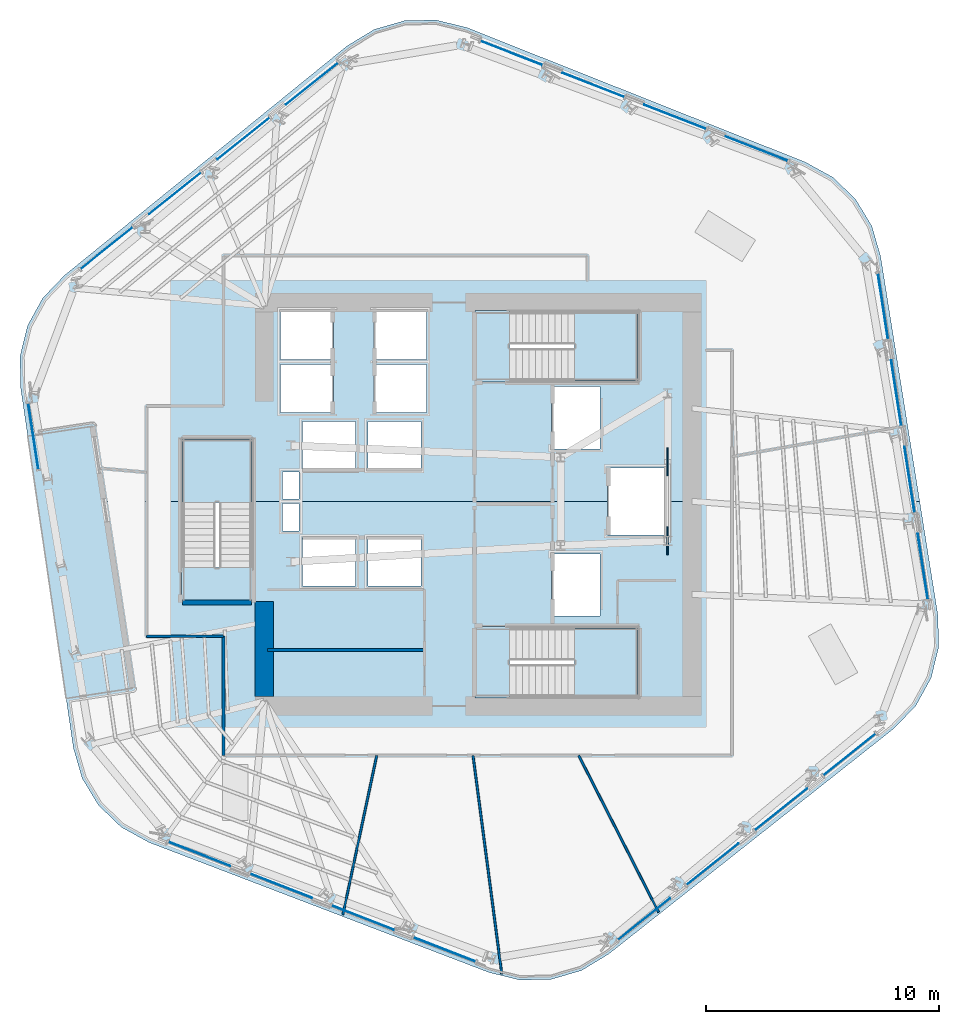
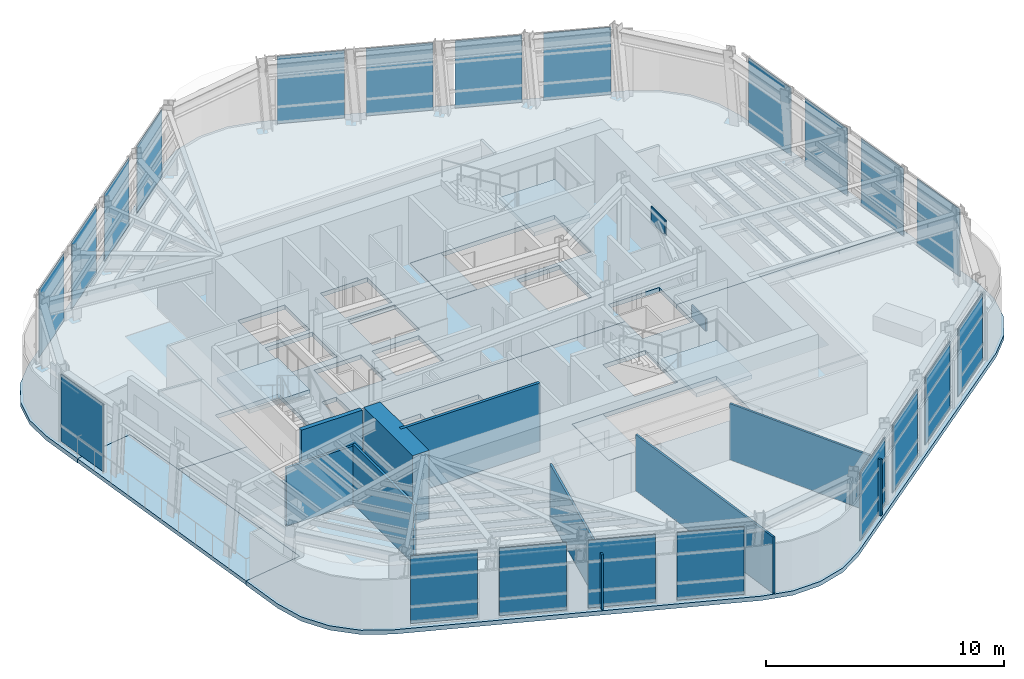
# One storey, part 7 of 15: 23 plates, 9 slabs, 8 walls, 9 elements without a shape of their own.
"""IFC4 building model written with IfcOpenShell, lengths in metres."""

from ifc_helpers import new_model, si_unit, direction, frame, frame_2d, origin, origin_2d, place, context, subcontext, project, spatial, polyline, rectangle, outline, extrude, material, layer, layer_set, type_object, element, aggregate, save


model = new_model("IFC4")

# Units and contexts
model_context = context("Model", 3, precision=1e-05, world=origin(), true_north=direction((0.0, 1.0)))
body_context = subcontext(model_context, "Body", "Model", "MODEL_VIEW")
ifc_project = project(units=[si_unit("LENGTHUNIT", "METRE"), si_unit("AREAUNIT", "SQUARE_METRE"), si_unit("VOLUMEUNIT", "CUBIC_METRE"), si_unit("PLANEANGLEUNIT", "RADIAN"), si_unit("MASSUNIT", "GRAM", prefix="KILO")], contexts=[model_context])

# Site, building, storey
site_placement = place(None, origin())
site = spatial("IfcSite", under=ifc_project, at=site_placement, CompositionType="ELEMENT")
building_placement = place(site_placement, origin())
building = spatial("IfcBuilding", under=site, at=building_placement, Name="Valkerne Bourse Tower", CompositionType="ELEMENT")
storey_placement = place(building_placement, frame((0.0, 0.0, 189.39990234375)))
storey = spatial("IfcBuildingStorey", under=building, at=storey_placement, Name="L48", CompositionType="ELEMENT", Elevation=189.39990234375)

# Curtain wall, plates
ifc_material_1 = material(Name="Aluminium AA 6063-T6", Category="aluminium")
ifc_layer_1 = layer(ifc_material_1, 0.235107421875)
ifc_layer_set_1 = layer_set([ifc_layer_1], Name="Aluminium AA 6063-T6")
curtain_wall_type = type_object("IfcCurtainWallType", Name="CW-03", PredefinedType="NOTDEFINED", material=ifc_layer_set_1)
curtain_wall_1_placement = place(storey_placement, origin())
curtain_wall_1 = element("IfcCurtainWall", 1, at=curtain_wall_1_placement, inside=storey, type_object=curtain_wall_type, Name="L48 Hexagonal Stick Curtain Wall Face 1", PredefinedType="NOTDEFINED")
ifc_material_2 = material(Name="Glass IGU Low-E Double Glazed", Category="glass")
ifc_layer_2 = layer(ifc_material_2, 0.031982421875)
ifc_layer_set_2 = layer_set([ifc_layer_2], Name="Glass IGU Low-E Double Glazed")
plate_type_1 = type_object("IfcPlateType", Name="CW-PNL-IGU-32", PredefinedType="CURTAIN_PANEL", material=ifc_layer_set_2)
plate_1_placement = place(storey_placement, frame((58.7841796875, 42.166015625, 0.030029296875), z_axis=(0.0, 0.0, 1.0), x_axis=(-0.931683816039, 0.363270239534, 0.0)))
plate_1 = element("IfcPlate", 2, at=plate_1_placement, type_object=plate_type_1, Name="CW-L48-F1 Curtain Panel 00", PredefinedType="CURTAIN_PANEL", context=body_context, shape_type="SweptSolid", body=[
    extrude(rectangle(XDim=2.85107421875, YDim=0.031982421875, at=origin_2d()), origin(), (0.0, 0.0, 1.0), 3.4599609375),
])
plate_2_placement = place(storey_placement, frame((55.270751953125, 43.535888671875, 0.030029296875), z_axis=(0.0, 0.0, 1.0), x_axis=(-0.93169279094, 0.36324722065, 0.0)))
plate_2 = element("IfcPlate", 3, at=plate_2_placement, type_object=plate_type_1, Name="CW-L48-F1 Curtain Panel 01", PredefinedType="CURTAIN_PANEL", context=body_context, shape_type="SweptSolid", body=[
    extrude(rectangle(XDim=2.85107421875, YDim=0.031982421875, at=origin_2d()), origin(), (0.0, 0.0, 1.0), 3.4599609375),
])
plate_3_placement = place(storey_placement, frame((51.75732421875, 44.905517578125, 0.030029296875), z_axis=(0.0, 0.0, 1.0), x_axis=(-0.931696289859, 0.363238246145, 0.0)))
plate_3 = element("IfcPlate", 4, at=plate_3_placement, type_object=plate_type_1, Name="CW-L48-F1 Curtain Panel 02", PredefinedType="CURTAIN_PANEL", context=body_context, shape_type="SweptSolid", body=[
    extrude(rectangle(XDim=2.85107421875, YDim=0.031982421875, at=origin_2d()), origin(), (0.0, 0.0, 1.0), 3.4599609375),
])
plate_4_placement = place(storey_placement, frame((48.243896484375, 46.275390625, 0.030029296875), z_axis=(0.0, 0.0, 1.0), x_axis=(-0.93169279094, 0.36324722065, 0.0)))
plate_4 = element("IfcPlate", 5, at=plate_4_placement, type_object=plate_type_1, Name="CW-L48-F1 Curtain Panel 03", PredefinedType="CURTAIN_PANEL", context=body_context, shape_type="SweptSolid", body=[
    extrude(rectangle(XDim=2.85107421875, YDim=0.031982421875, at=origin_2d()), origin(), (0.0, 0.0, 1.0), 3.4599609375),
])
aggregate(curtain_wall_1, [plate_1, plate_2, plate_3, plate_4])

curtain_wall_2_placement = place(storey_placement, origin())
curtain_wall_2 = element("IfcCurtainWall", 6, at=curtain_wall_2_placement, inside=storey, type_object=curtain_wall_type, Name="L48 Hexagonal Stick Curtain Wall Face 2", PredefinedType="NOTDEFINED")
plate_5_placement = place(storey_placement, frame((39.657958984375, 44.96142578125, 0.030029296875), z_axis=(0.0, 0.0, 1.0), x_axis=(-0.780428802886, -0.625244659014, 0.0)))
plate_5 = element("IfcPlate", 7, at=plate_5_placement, type_object=plate_type_1, Name="CW-L48-F2 Curtain Panel 00", PredefinedType="CURTAIN_PANEL", context=body_context, shape_type="SweptSolid", body=[
    extrude(rectangle(XDim=2.85107421875, YDim=0.031982421875, at=origin_2d()), origin(), (0.0, 0.0, 1.0), 3.4599609375),
])
plate_6_placement = place(storey_placement, frame((36.715087890625, 42.603759765625, 0.030029296875), z_axis=(0.0, 0.0, 1.0), x_axis=(-0.780428802886, -0.625244659014, 0.0)))
plate_6 = element("IfcPlate", 8, at=plate_6_placement, type_object=plate_type_1, Name="CW-L48-F2 Curtain Panel 01", PredefinedType="CURTAIN_PANEL", context=body_context, shape_type="SweptSolid", body=[
    extrude(rectangle(XDim=2.85107421875, YDim=0.031982421875, at=origin_2d()), origin(), (0.0, 0.0, 1.0), 3.4599609375),
])
plate_7_placement = place(storey_placement, frame((33.77197265625, 40.245849609375, 0.030029296875), z_axis=(0.0, 0.0, 1.0), x_axis=(-0.780428802886, -0.625244659014, 0.0)))
plate_7 = element("IfcPlate", 9, at=plate_7_placement, type_object=plate_type_1, Name="CW-L48-F2 Curtain Panel 02", PredefinedType="CURTAIN_PANEL", context=body_context, shape_type="SweptSolid", body=[
    extrude(rectangle(XDim=2.85107421875, YDim=0.031982421875, at=origin_2d()), origin(), (0.0, 0.0, 1.0), 3.4599609375),
])
plate_8_placement = place(storey_placement, frame((30.8291015625, 37.88818359375, 0.030029296875), z_axis=(0.0, 0.0, 1.0), x_axis=(-0.780428802886, -0.625244659014, 0.0)))
plate_8 = element("IfcPlate", 10, at=plate_8_placement, type_object=plate_type_1, Name="CW-L48-F2 Curtain Panel 03", PredefinedType="CURTAIN_PANEL", context=body_context, shape_type="SweptSolid", body=[
    extrude(rectangle(XDim=2.85107421875, YDim=0.031982421875, at=origin_2d()), origin(), (0.0, 0.0, 1.0), 3.4599609375),
])
aggregate(curtain_wall_2, [plate_5, plate_6, plate_7, plate_8])

# Curtain wall, plate
curtain_wall_3_placement = place(storey_placement, origin())
curtain_wall_3 = element("IfcCurtainWall", 11, at=curtain_wall_3_placement, inside=storey, type_object=curtain_wall_type, Name="L48 Hexagonal Stick Curtain Wall Face 3", PredefinedType="NOTDEFINED")
plate_9_placement = place(storey_placement, frame((27.673828125, 29.795654296875, 0.030029296875), z_axis=(0.0, 0.0, 1.0), x_axis=(0.151260054686, -0.988494003956, 0.0)))
plate_9 = element("IfcPlate", 12, at=plate_9_placement, type_object=plate_type_1, Name="CW-L48-F3 Curtain Panel 00", PredefinedType="CURTAIN_PANEL", context=body_context, shape_type="SweptSolid", body=[
    extrude(rectangle(XDim=2.85107421875, YDim=0.031982421875, at=origin_2d()), origin(), (0.0, 0.0, 1.0), 3.4599609375),
])
aggregate(curtain_wall_3, [plate_9])

# Curtain wall, plates
curtain_wall_4_placement = place(storey_placement, origin())
curtain_wall_4 = element("IfcCurtainWall", 13, at=curtain_wall_4_placement, inside=storey, type_object=curtain_wall_type, Name="L48 Hexagonal Stick Curtain Wall Face 4", PredefinedType="NOTDEFINED")
plate_10_placement = place(storey_placement, frame((34.81591796875, 11.833984375, 0.030029296875), z_axis=(0.0, 0.0, 1.0), x_axis=(0.931683816039, -0.363270239534, 0.0)))
plate_10 = element("IfcPlate", 14, at=plate_10_placement, type_object=plate_type_1, Name="CW-L48-F4 Curtain Panel 00", PredefinedType="CURTAIN_PANEL", context=body_context, shape_type="SweptSolid", body=[
    extrude(rectangle(XDim=2.85107421875, YDim=0.031982421875, at=origin_2d()), origin(), (0.0, 0.0, 1.0), 3.4599609375),
])
plate_11_placement = place(storey_placement, frame((38.3291015625, 10.464111328125, 0.030029296875), z_axis=(0.0, 0.0, 1.0), x_axis=(0.93169279094, -0.36324722065, 0.0)))
plate_11 = element("IfcPlate", 15, at=plate_11_placement, type_object=plate_type_1, Name="CW-L48-F4 Curtain Panel 01", PredefinedType="CURTAIN_PANEL", context=body_context, shape_type="SweptSolid", body=[
    extrude(rectangle(XDim=2.85107421875, YDim=0.031982421875, at=origin_2d()), origin(), (0.0, 0.0, 1.0), 3.4599609375),
])
plate_12_placement = place(storey_placement, frame((41.8427734375, 9.094482421875, 0.030029296875), z_axis=(0.0, 0.0, 1.0), x_axis=(0.931696289859, -0.363238246145, 0.0)))
plate_12 = element("IfcPlate", 16, at=plate_12_placement, type_object=plate_type_1, Name="CW-L48-F4 Curtain Panel 02", PredefinedType="CURTAIN_PANEL", context=body_context, shape_type="SweptSolid", body=[
    extrude(rectangle(XDim=2.85107421875, YDim=0.031982421875, at=origin_2d()), origin(), (0.0, 0.0, 1.0), 3.4599609375),
])
plate_13_placement = place(storey_placement, frame((45.356201171875, 7.724609375, 0.030029296875), z_axis=(0.0, 0.0, 1.0), x_axis=(0.93169279094, -0.36324722065, 0.0)))
plate_13 = element("IfcPlate", 17, at=plate_13_placement, type_object=plate_type_1, Name="CW-L48-F4 Curtain Panel 03", PredefinedType="CURTAIN_PANEL", context=body_context, shape_type="SweptSolid", body=[
    extrude(rectangle(XDim=2.85107421875, YDim=0.031982421875, at=origin_2d()), origin(), (0.0, 0.0, 1.0), 3.4599609375),
])
aggregate(curtain_wall_4, [plate_10, plate_11, plate_12, plate_13])

curtain_wall_5_placement = place(storey_placement, origin())
curtain_wall_5 = element("IfcCurtainWall", 18, at=curtain_wall_5_placement, inside=storey, type_object=curtain_wall_type, Name="L48 Hexagonal Stick Curtain Wall Face 5", PredefinedType="NOTDEFINED")
plate_14_placement = place(storey_placement, frame((53.94189453125, 9.03857421875, 0.030029296875), z_axis=(0.0, 0.0, 1.0), x_axis=(0.780428802886, 0.625244659014, 0.0)))
plate_14 = element("IfcPlate", 19, at=plate_14_placement, type_object=plate_type_1, Name="CW-L48-F5 Curtain Panel 00", PredefinedType="CURTAIN_PANEL", context=body_context, shape_type="SweptSolid", body=[
    extrude(rectangle(XDim=2.85107421875, YDim=0.031982421875, at=origin_2d()), origin(), (0.0, 0.0, 1.0), 3.4599609375),
])
plate_15_placement = place(storey_placement, frame((56.885009765625, 11.396240234375, 0.030029296875), z_axis=(0.0, 0.0, 1.0), x_axis=(0.780428802886, 0.625244659014, 0.0)))
plate_15 = element("IfcPlate", 20, at=plate_15_placement, type_object=plate_type_1, Name="CW-L48-F5 Curtain Panel 01", PredefinedType="CURTAIN_PANEL", context=body_context, shape_type="SweptSolid", body=[
    extrude(rectangle(XDim=2.85107421875, YDim=0.031982421875, at=origin_2d()), origin(), (0.0, 0.0, 1.0), 3.4599609375),
])
plate_16_placement = place(storey_placement, frame((59.827880859375, 13.754150390625, 0.030029296875), z_axis=(0.0, 0.0, 1.0), x_axis=(0.780428802886, 0.625244659014, 0.0)))
plate_16 = element("IfcPlate", 21, at=plate_16_placement, type_object=plate_type_1, Name="CW-L48-F5 Curtain Panel 02", PredefinedType="CURTAIN_PANEL", context=body_context, shape_type="SweptSolid", body=[
    extrude(rectangle(XDim=2.85107421875, YDim=0.031982421875, at=origin_2d()), origin(), (0.0, 0.0, 1.0), 3.4599609375),
])
plate_17_placement = place(storey_placement, frame((62.77099609375, 16.11181640625, 0.030029296875), z_axis=(0.0, 0.0, 1.0), x_axis=(0.780428802886, 0.625244659014, 0.0)))
plate_17 = element("IfcPlate", 22, at=plate_17_placement, type_object=plate_type_1, Name="CW-L48-F5 Curtain Panel 03", PredefinedType="CURTAIN_PANEL", context=body_context, shape_type="SweptSolid", body=[
    extrude(rectangle(XDim=2.85107421875, YDim=0.031982421875, at=origin_2d()), origin(), (0.0, 0.0, 1.0), 3.4599609375),
])
aggregate(curtain_wall_5, [plate_14, plate_15, plate_16, plate_17])

curtain_wall_6_placement = place(storey_placement, origin())
curtain_wall_6 = element("IfcCurtainWall", 23, at=curtain_wall_6_placement, inside=storey, type_object=curtain_wall_type, Name="L48 Hexagonal Stick Curtain Wall Face 6", PredefinedType="NOTDEFINED")
plate_18_placement = place(storey_placement, frame((65.92626953125, 24.204345703125, 0.030029296875), z_axis=(0.0, 0.0, 1.0), x_axis=(-0.151260054686, 0.988494003956, 0.0)))
plate_18 = element("IfcPlate", 24, at=plate_18_placement, type_object=plate_type_1, Name="CW-L48-F6 Curtain Panel 00", PredefinedType="CURTAIN_PANEL", context=body_context, shape_type="SweptSolid", body=[
    extrude(rectangle(XDim=2.85107421875, YDim=0.031982421875, at=origin_2d()), origin(), (0.0, 0.0, 1.0), 3.4599609375),
])
plate_19_placement = place(storey_placement, frame((65.355712890625, 27.931884765625, 0.030029296875), z_axis=(0.0, 0.0, 1.0), x_axis=(-0.15125608979, 0.988494610659, 0.0)))
plate_19 = element("IfcPlate", 25, at=plate_19_placement, type_object=plate_type_1, Name="CW-L48-F6 Curtain Panel 01", PredefinedType="CURTAIN_PANEL", context=body_context, shape_type="SweptSolid", body=[
    extrude(rectangle(XDim=2.85107421875, YDim=0.031982421875, at=origin_2d()), origin(), (0.0, 0.0, 1.0), 3.4599609375),
])
plate_20_placement = place(storey_placement, frame((64.785400390625, 31.65966796875, 0.030029296875), z_axis=(0.0, 0.0, 1.0), x_axis=(-0.151260054686, 0.988494003956, 0.0)))
plate_20 = element("IfcPlate", 26, at=plate_20_placement, type_object=plate_type_1, Name="CW-L48-F6 Curtain Panel 02", PredefinedType="CURTAIN_PANEL", context=body_context, shape_type="SweptSolid", body=[
    extrude(rectangle(XDim=2.85107421875, YDim=0.031982421875, at=origin_2d()), origin(), (0.0, 0.0, 1.0), 3.4599609375),
])
plate_21_placement = place(storey_placement, frame((64.215087890625, 35.38720703125, 0.030029296875), z_axis=(0.0, 0.0, 1.0), x_axis=(-0.151260054686, 0.988494003956, 0.0)))
plate_21 = element("IfcPlate", 27, at=plate_21_placement, type_object=plate_type_1, Name="CW-L48-F6 Curtain Panel 03", PredefinedType="CURTAIN_PANEL", context=body_context, shape_type="SweptSolid", body=[
    extrude(rectangle(XDim=2.85107421875, YDim=0.031982421875, at=origin_2d()), origin(), (0.0, 0.0, 1.0), 3.4599609375),
])
aggregate(curtain_wall_6, [plate_18, plate_19, plate_20, plate_21])

# Plates
ifc_material_3 = material(Name="Steel ASTM A572 Grade 50", Category="steel")
ifc_layer_3 = layer(ifc_material_3, 0.06005859375)
ifc_layer_set_3 = layer_set([ifc_layer_3], Name="Steel ASTM A572 Grade 50")
plate_type_2 = type_object("IfcPlateType", Name="PLT-GUS-60", PredefinedType="SHEET", material=ifc_layer_set_3)
for number, where, z_axis, x_axis, name in (
    (28, (54.949951171875, 25.300048828125, -0.1796875), (0.0, 0.0, 1.0), (0.0, 1.0, 0.0), "L48 Brace Node Gusset Plate PLT-GUS-END-L48-412"),
    (29, (54.949951171875, 28.699951171875, 2.81396484375), (0.0, 0.0, 1.0), (0.0, 1.0, 0.0), "L48 Brace Node Gusset Plate PLT-GUS-END-L48-413"),
):
    element("IfcPlate", number, at=place(storey_placement, frame(where, z_axis=z_axis, x_axis=x_axis)), inside=storey, type_object=plate_type_2, Name=name, PredefinedType="SHEET", context=body_context, shape_type="SweptSolid", body=[
        extrude(rectangle(XDim=1.199951171875, YDim=0.06005859375, at=origin_2d()), origin(), (0.0, 0.0, 1.0), 0.800048828125),
    ])

# Slabs
ifc_material_4 = material(Name="Concrete C40/50", Category="concrete")
ifc_layer_4 = layer(ifc_material_4, 0.25)
ifc_layer_set_4 = layer_set([ifc_layer_4], Name="Concrete C40/50")
slab_type_1 = type_object("IfcSlabType", Name="SLB-RMP-LND-250", PredefinedType="LANDING", material=ifc_layer_set_4)
slab_1_placement = place(storey_placement, frame((0.0, 0.0, -0.219970703125)))
element("IfcSlab", 30, at=slab_1_placement, inside=storey, type_object=slab_type_1, Name="L48 ST-1 Floor Landing Slab", PredefinedType="LANDING", context=body_context, shape_type="SweptSolid", body=[
    extrude(outline(polyline([(46.669921875, 18.5400390625), (48.14990234375, 18.5400390625), (48.14990234375, 21.610107421875), (46.669921875, 21.610107421875), (46.669921875, 18.5400390625)])), origin(), (0.0, 0.0, 1.0), 0.219970703125),
])
slab_2_placement = place(storey_placement, frame((0.0, 0.0, -0.219970703125)))
element("IfcSlab", 31, at=slab_2_placement, inside=storey, type_object=slab_type_1, Name="L48 ST-2 Floor Landing Slab", PredefinedType="LANDING", context=body_context, shape_type="SweptSolid", body=[
    extrude(outline(polyline([(46.669921875, 32.139892578125), (48.14990234375, 32.139892578125), (48.14990234375, 35.2099609375), (46.669921875, 35.2099609375), (46.669921875, 32.139892578125)])), origin(), (0.0, 0.0, 1.0), 0.219970703125),
])
slab_3_placement = place(storey_placement, frame((0.0, 0.0, -0.219970703125)))
element("IfcSlab", 32, at=slab_3_placement, inside=storey, type_object=slab_type_1, Name="L48 ST-3 Floor Landing Slab", PredefinedType="LANDING", context=body_context, shape_type="SweptSolid", body=[
    extrude(outline(polyline([(37.110107421875, 22.669921875), (37.110107421875, 24.14990234375), (34.0400390625, 24.14990234375), (34.0400390625, 22.669921875), (37.110107421875, 22.669921875)])), origin(), (0.0, 0.0, 1.0), 0.219970703125),
])

# Stair, slab
stair_type = type_object("IfcStairType", Name="ST-CORE-1400", PredefinedType="HALF_TURN_STAIR", material=ifc_material_4)
stair_1_placement = place(storey_placement, origin())
stair_1 = element("IfcStair", 33, at=stair_1_placement, inside=storey, type_object=stair_type, Name="L48 ST-1", PredefinedType="HALF_TURN_STAIR")
ifc_layer_5 = layer(ifc_material_4, 0.179931640625)
ifc_layer_set_5 = layer_set([ifc_layer_5], Name="Concrete C40/50")
slab_type_2 = type_object("IfcSlabType", Name="SLB-ST-LND-180", PredefinedType="LANDING", material=ifc_layer_set_5)
slab_4_placement = place(storey_placement, frame((0.0, 0.0, 1.7001953125)))
slab_4 = element("IfcSlab", 34, at=slab_4_placement, type_object=slab_type_2, Name="ST-1 landing 1", PredefinedType="LANDING", context=body_context, shape_type="SweptSolid", body=[
    extrude(outline(polyline([(50.949951171875, 18.60009765625), (53.64990234375, 18.60009765625), (53.64990234375, 21.550048828125), (50.949951171875, 21.550048828125), (50.949951171875, 18.60009765625)])), origin(), (0.0, 0.0, 1.0), 0.199951171875),
])
aggregate(stair_1, [slab_4])

stair_2_placement = place(storey_placement, origin())
stair_2 = element("IfcStair", 35, at=stair_2_placement, inside=storey, type_object=stair_type, Name="L48 ST-2", PredefinedType="HALF_TURN_STAIR")
slab_5_placement = place(storey_placement, frame((0.0, 0.0, 1.7001953125)))
slab_5 = element("IfcSlab", 36, at=slab_5_placement, type_object=slab_type_2, Name="ST-2 landing 1", PredefinedType="LANDING", context=body_context, shape_type="SweptSolid", body=[
    extrude(outline(polyline([(50.949951171875, 32.199951171875), (53.64990234375, 32.199951171875), (53.64990234375, 35.14990234375), (50.949951171875, 35.14990234375), (50.949951171875, 32.199951171875)])), origin(), (0.0, 0.0, 1.0), 0.199951171875),
])
aggregate(stair_2, [slab_5])

stair_3_placement = place(storey_placement, origin())
stair_3 = element("IfcStair", 37, at=stair_3_placement, inside=storey, type_object=stair_type, Name="L48 ST-3", PredefinedType="HALF_TURN_STAIR")
slab_6_placement = place(storey_placement, frame((0.0, 0.0, 1.7001953125)))
slab_6 = element("IfcSlab", 38, at=slab_6_placement, type_object=slab_type_2, Name="ST-3 landing 1", PredefinedType="LANDING", context=body_context, shape_type="SweptSolid", body=[
    extrude(outline(polyline([(37.050048828125, 26.949951171875), (37.050048828125, 29.64990234375), (34.10009765625, 29.64990234375), (34.10009765625, 26.949951171875), (37.050048828125, 26.949951171875)])), origin(), (0.0, 0.0, 1.0), 0.199951171875),
])
aggregate(stair_3, [slab_6])

# Slabs
ifc_layer_6 = layer(ifc_material_4, 0.199951171875)
ifc_layer_set_6 = layer_set([ifc_layer_6], Name="Concrete C40/50")
slab_type_3 = type_object("IfcSlabType", Name="SLB-TER-200", PredefinedType="FLOOR", material=ifc_layer_set_6)
slab_7_placement = place(storey_placement, frame((0.0, 0.0, -0.199951171875)))
element("IfcSlab", 39, at=slab_7_placement, inside=storey, type_object=slab_type_3, Name="L48 V-Notch Stepped Outdoor Terrace Slab", PredefinedType="FLOOR", context=body_context, shape_type="SweptSolid", body=[
    extrude(outline(polyline([(27.43359375, 29.802978515625), (30.214599609375, 30.228515625), (31.939208984375, 18.959716796875), (29.085205078125, 18.52294921875), (27.43359375, 29.802978515625)])), origin(), (0.0, 0.0, 1.0), 0.199951171875),
])
ifc_layer_7 = layer(ifc_material_4, 0.219970703125)
ifc_layer_set_7 = layer_set([ifc_layer_7], Name="Concrete C40/50")
slab_type_4 = type_object("IfcSlabType", Name="SLB-TOW-220", PredefinedType="FLOOR", material=ifc_layer_set_7)
slab_8_placement = place(storey_placement, frame((0.0, 0.0, -0.219970703125)))
element("IfcSlab", 40, at=slab_8_placement, inside=storey, type_object=slab_type_4, Name="L48 Hexagonal Composite Floor Slab S", PredefinedType="FLOOR", context=body_context, shape_type="SweptSolid", body=[
    extrude(outline(polyline([(66.5791015625, 22.0791015625), (66.607666015625, 20.721923828125), (66.28369140625, 19.403564453125), (65.6298828125, 18.214111328125), (64.690185546875, 17.234375), (52.410400390625, 7.525634765625), (51.2490234375, 6.822509765625), (49.945556640625, 6.443603515625), (48.58837890625, 6.415283203125), (47.27001953125, 6.739013671875), (32.648681640625, 12.331298828125), (31.459228515625, 12.985107421875), (30.4794921875, 13.9248046875), (29.776123046875, 15.0859375), (29.3974609375, 16.389404296875), (29.085205078125, 18.52294921875), (31.939208984375, 18.959716796875), (30.708740234375, 27.0), (34.034912109375, 27.0), (34.034912109375, 22.6650390625), (37.114990234375, 22.6650390625), (37.114990234375, 27.0), (52.360107421875, 27.0), (52.360107421875, 25.56005859375), (54.840087890625, 25.56005859375), (54.840087890625, 27.0), (65.793701171875, 27.0), (66.5791015625, 22.0791015625)]), holes=[polyline([(41.5400390625, 25.43994140625), (39.260009765625, 25.43994140625), (39.260009765625, 23.360107421875), (41.5400390625, 23.360107421875), (41.5400390625, 25.43994140625)]), polyline([(44.340087890625, 25.43994140625), (42.06005859375, 25.43994140625), (42.06005859375, 23.360107421875), (44.340087890625, 23.360107421875), (44.340087890625, 25.43994140625)]), polyline([(39.10009765625, 26.89990234375), (38.3798828125, 26.89990234375), (38.3798828125, 25.72998046875), (39.10009765625, 25.72998046875), (39.10009765625, 26.89990234375)]), polyline([(53.675048828125, 21.614990234375), (46.6650390625, 21.614990234375), (46.6650390625, 18.534912109375), (53.675048828125, 18.534912109375), (53.675048828125, 21.614990234375)]), polyline([(52.0400390625, 24.739990234375), (49.9599609375, 24.739990234375), (49.9599609375, 22.06005859375), (52.0400390625, 22.06005859375), (52.0400390625, 24.739990234375)])]), origin(), (0.0, 0.0, 1.0), 0.219970703125),
])
slab_9_placement = place(storey_placement, frame((0.0, 0.0, -0.219970703125)))
element("IfcSlab", 41, at=slab_9_placement, inside=storey, type_object=slab_type_4, Name="L48 Hexagonal Composite Floor Slab N", PredefinedType="FLOOR", context=body_context, shape_type="SweptSolid", body=[
    extrude(outline(polyline([(27.425048828125, 34.553955078125), (28.078857421875, 35.74365234375), (29.0185546875, 36.723388671875), (41.172119140625, 46.589599609375), (42.333251953125, 47.29296875), (43.63671875, 47.671630859375), (44.993896484375, 47.7001953125), (46.312255859375, 47.376220703125), (60.860107421875, 41.595703125), (62.0498046875, 40.94189453125), (63.029541015625, 40.002197265625), (63.732666015625, 38.841064453125), (64.111328125, 37.53759765625), (65.793701171875, 27.0), (54.840087890625, 27.0), (54.840087890625, 28.43994140625), (52.360107421875, 28.43994140625), (52.360107421875, 27.0), (37.114990234375, 27.0), (37.114990234375, 29.675048828125), (34.034912109375, 29.675048828125), (34.034912109375, 27.0), (30.708740234375, 27.0), (30.214599609375, 30.228515625), (27.43359375, 29.802978515625), (27.129638671875, 31.87841796875), (27.101318359375, 33.235595703125), (27.425048828125, 34.553955078125)]), holes=[polyline([(39.10009765625, 28.27001953125), (38.3798828125, 28.27001953125), (38.3798828125, 27.10009765625), (39.10009765625, 27.10009765625), (39.10009765625, 28.27001953125)]), polyline([(41.5400390625, 30.43994140625), (39.260009765625, 30.43994140625), (39.260009765625, 28.360107421875), (41.5400390625, 28.360107421875), (41.5400390625, 30.43994140625)]), polyline([(40.590087890625, 32.889892578125), (38.31005859375, 32.889892578125), (38.31005859375, 30.81005859375), (40.590087890625, 30.81005859375), (40.590087890625, 32.889892578125)]), polyline([(40.590087890625, 35.18994140625), (38.31005859375, 35.18994140625), (38.31005859375, 33.110107421875), (40.590087890625, 33.110107421875), (40.590087890625, 35.18994140625)]), polyline([(44.340087890625, 30.43994140625), (42.06005859375, 30.43994140625), (42.06005859375, 28.360107421875), (44.340087890625, 28.360107421875), (44.340087890625, 30.43994140625)]), polyline([(52.0400390625, 31.93994140625), (49.9599609375, 31.93994140625), (49.9599609375, 29.260009765625), (52.0400390625, 29.260009765625), (52.0400390625, 31.93994140625)]), polyline([(44.590087890625, 32.889892578125), (42.31005859375, 32.889892578125), (42.31005859375, 30.81005859375), (44.590087890625, 30.81005859375), (44.590087890625, 32.889892578125)]), polyline([(53.675048828125, 35.215087890625), (46.6650390625, 35.215087890625), (46.6650390625, 32.135009765625), (53.675048828125, 32.135009765625), (53.675048828125, 35.215087890625)]), polyline([(44.590087890625, 35.18994140625), (42.31005859375, 35.18994140625), (42.31005859375, 33.110107421875), (44.590087890625, 33.110107421875), (44.590087890625, 35.18994140625)])]), origin(), (0.0, 0.0, 1.0), 0.219970703125),
])

# Walls
ifc_material_5 = material(Name="Concrete C55/67", Category="concrete")
ifc_layer_8 = layer(ifc_material_5, 0.800048828125)
ifc_layer_set_8 = layer_set([ifc_layer_8], Name="Concrete C55/67")
wall_type_1 = type_object("IfcWallType", Name="W-CORE-800", PredefinedType="SHEAR", material=ifc_layer_set_8)
wall_1_placement = place(storey_placement, frame((37.60009765625, 18.60009765625, 0.0), z_axis=(0.0, 0.0, 1.0), x_axis=(0.0, 1.0, 0.0)))
element("IfcWall", 42, at=wall_1_placement, inside=storey, type_object=wall_type_1, Name="L48 Core Shear Wall WEST-S", PredefinedType="SHEAR", context=body_context, shape_type="SweptSolid", body=[
    extrude(rectangle(XDim=4.099853515625, YDim=0.800048828125, at=frame_2d((2.0498046875, 0.0))), origin(), (0.0, 0.0, 1.0), 3.52001953125),
])
ifc_material_6 = material(Name="Gypsum Board Steel-Stud Partition", Category="steel")
ifc_layer_9 = layer(ifc_material_6, 0.117919921875)
ifc_layer_set_9 = layer_set([ifc_layer_9], Name="Gypsum Board Steel-Stud Partition")
wall_type_2 = type_object("IfcWallType", Name="W-CORR-140", PredefinedType="PARTITIONING", material=ifc_layer_set_9)
wall_2_placement = place(storey_placement, frame((35.85009765625, 16.080078125, 0.0), z_axis=(0.0, 0.0, 1.0), x_axis=(0.0, 1.0, 0.0)))
element("IfcWall", 43, at=wall_2_placement, inside=storey, type_object=wall_type_2, Name="L48 Corridor Enclosure Wall", PredefinedType="PARTITIONING", context=body_context, shape_type="SweptSolid", body=[
    extrude(rectangle(XDim=5.119873046875, YDim=0.117919921875, at=frame_2d((2.56005859375, 0.0))), origin(), (0.0, 0.0, 1.0), 3.047607421875),
])
wall_3_placement = place(storey_placement, frame((35.85009765625, 21.199951171875, 0.0), z_axis=(0.0, 0.0, 1.0), x_axis=(-1.0, 0.0, 0.0)))
element("IfcWall", 44, at=wall_3_placement, inside=storey, type_object=wall_type_2, Name="L48 Corridor Enclosure Wall", PredefinedType="PARTITIONING", context=body_context, shape_type="SweptSolid", body=[
    extrude(rectangle(XDim=3.300048828125, YDim=0.117919921875, at=frame_2d((1.64990234375, 0.0))), origin(), (0.0, 0.0, 1.0), 2.976806640625),
])
ifc_layer_10 = layer(ifc_material_6, 0.092041015625)
ifc_layer_set_10 = layer_set([ifc_layer_10], Name="Gypsum Board Steel-Stud Partition")
wall_type_3 = type_object("IfcWallType", Name="W-PART-115", PredefinedType="PARTITIONING", material=ifc_layer_set_10)
wall_4_placement = place(storey_placement, frame((42.444091796875, 16.074951171875, 0.0), z_axis=(0.0, 0.0, 1.0), x_axis=(-0.207928307645, -0.978144068571, 0.0)))
element("IfcWall", 45, at=wall_4_placement, inside=storey, type_object=wall_type_3, Name="L48 Suite Partition P01", PredefinedType="PARTITIONING", context=body_context, shape_type="SweptSolid", body=[
    extrude(rectangle(XDim=7.010986328125, YDim=0.092041015625, at=frame_2d((3.50537109375, 0.0))), origin(), (0.0, 0.0, 1.0), 2.816650390625),
])
wall_5_placement = place(storey_placement, frame((46.5830078125, 16.074951171875, 0.0), z_axis=(0.0, 0.0, 1.0), x_axis=(0.130542447752, -0.991442721157, 0.0)))
element("IfcWall", 46, at=wall_5_placement, inside=storey, type_object=wall_type_3, Name="L48 Suite Partition P02", PredefinedType="PARTITIONING", context=body_context, shape_type="SweptSolid", body=[
    extrude(rectangle(XDim=9.47998046875, YDim=0.092041015625, at=frame_2d((4.739990234375, 0.0))), origin(), (0.0, 0.0, 1.0), 2.8828125),
])
wall_6_placement = place(storey_placement, frame((51.126953125, 16.074951171875, 0.0), z_axis=(0.0, 0.0, 1.0), x_axis=(0.454002976788, -0.891000166705, 0.0)))
element("IfcWall", 47, at=wall_6_placement, inside=storey, type_object=wall_type_3, Name="L48 Suite Partition P03", PredefinedType="PARTITIONING", context=body_context, shape_type="SweptSolid", body=[
    extrude(rectangle(XDim=7.580078125, YDim=0.092041015625, at=frame_2d((3.7900390625, 0.0))), origin(), (0.0, 0.0, 1.0), 2.8828125),
])
ifc_layer_11 = layer(ifc_material_4, 0.199951171875)
ifc_layer_set_11 = layer_set([ifc_layer_11], Name="Concrete C40/50")
wall_type_4 = type_object("IfcWallType", Name="W-SHF-200", PredefinedType="SHEAR", material=ifc_layer_set_11)
wall_7_placement = place(storey_placement, frame((34.10009765625, 22.64990234375, 0.0), z_axis=(0.0, 0.0, 1.0), x_axis=(1.0, 0.0, 0.0)))
element("IfcWall", 48, at=wall_7_placement, inside=storey, type_object=wall_type_4, Name="L48 Exit Stair ST-3 Structural Shaft Wall South", PredefinedType="SHEAR", context=body_context, shape_type="SweptSolid", body=[
    extrude(rectangle(XDim=2.949951171875, YDim=0.199951171875, at=frame_2d((1.47509765625, 0.0))), origin(), (0.0, 0.0, 1.0), 3.52001953125),
])
ifc_material_7 = material(Name="Moisture-Resistant Gypsum Partition", Category="gypsum")
ifc_layer_12 = layer(ifc_material_7, 0.139892578125)
ifc_layer_set_12 = layer_set([ifc_layer_12], Name="Moisture-Resistant Gypsum Partition")
wall_type_5 = type_object("IfcWallType", Name="W-WET-140", PredefinedType="PARTITIONING", material=ifc_layer_set_12)
wall_8_placement = place(storey_placement, frame((37.75, 20.610107421875, 0.0), z_axis=(0.0, 0.0, 1.0), x_axis=(1.0, 0.0, 0.0)))
element("IfcWall", 49, at=wall_8_placement, inside=storey, type_object=wall_type_5, Name="L48 LV7 Low-Bank Sub-Divider", PredefinedType="PARTITIONING", context=body_context, shape_type="SweptSolid", body=[
    extrude(rectangle(XDim=6.75, YDim=0.139892578125, at=frame_2d((3.375, 0.0))), origin(), (0.0, 0.0, 1.0), 3.52001953125),
])

save(model, "model.ifc")
